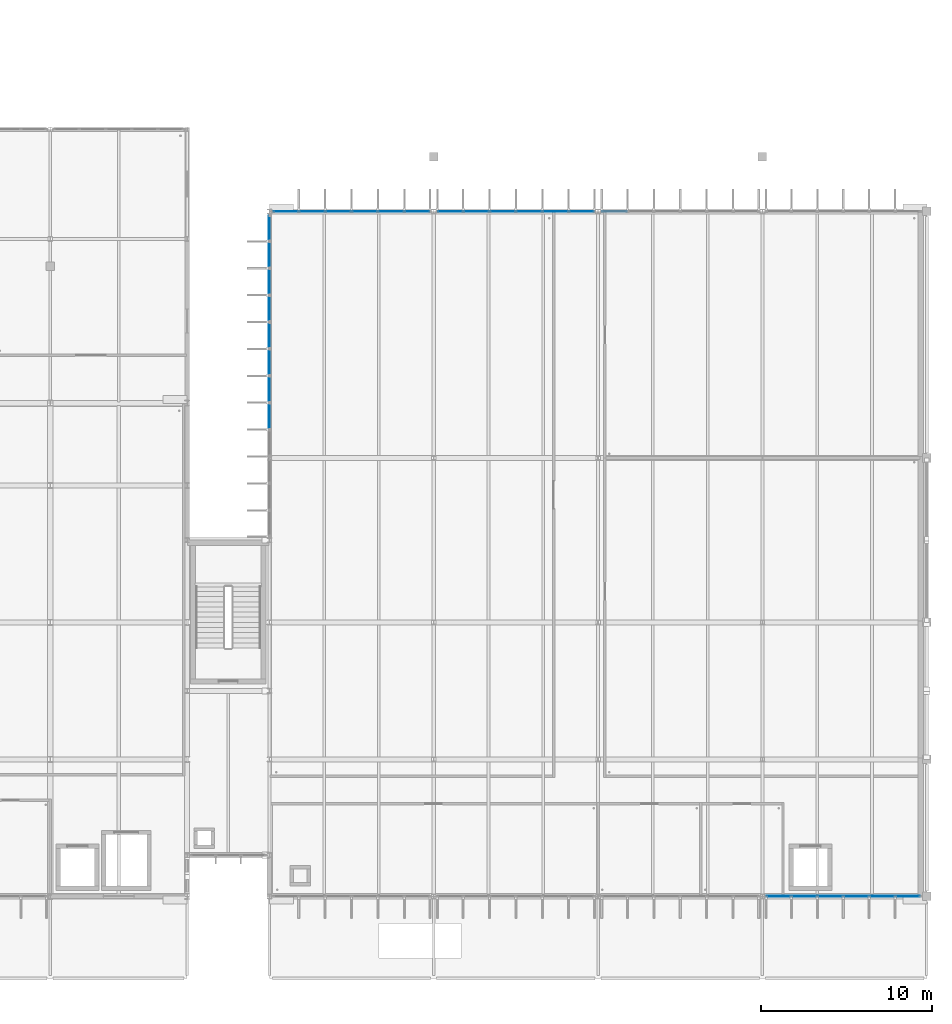
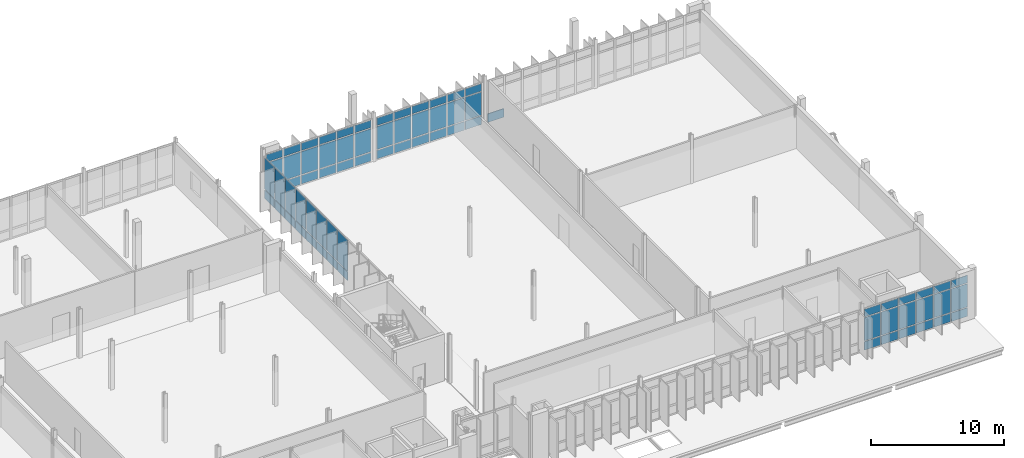
# One storey, part 54 of 107: 71 plates, 5 elements without a shape of their own.
"""IFC4 building model written with IfcOpenShell, lengths in metres."""

from ifc_helpers import new_model, si_unit, direction, frame, origin, origin_2d, place, context, subcontext, project, spatial, rectangle, extrude, material, layer, layer_set, type_object, element, aggregate, save


model = new_model("IFC4")

# Units and contexts
model_context = context("Model", 3, precision=1e-05, world=origin(), true_north=direction((0.0, 1.0)))
body_context = subcontext(model_context, "Body", "Model", "MODEL_VIEW")
ifc_project = project(units=[si_unit("LENGTHUNIT", "METRE"), si_unit("AREAUNIT", "SQUARE_METRE"), si_unit("VOLUMEUNIT", "CUBIC_METRE"), si_unit("PLANEANGLEUNIT", "RADIAN"), si_unit("MASSUNIT", "GRAM", prefix="KILO")], contexts=[model_context])

# Site, building, storey
site_placement = place(None, origin())
site = spatial("IfcSite", under=ifc_project, at=site_placement, CompositionType="ELEMENT")
building_placement = place(site_placement, origin())
building = spatial("IfcBuilding", under=site, at=building_placement, Name="Dunescarp Central Library", CompositionType="ELEMENT")
storey_placement = place(building_placement, frame((0.0, 0.0, 5.10009765625)))
storey = spatial("IfcBuildingStorey", under=building, at=storey_placement, Name="L01", CompositionType="ELEMENT", Elevation=5.10009765625)

# Curtain wall, plates
ifc_material_1 = material(Name="Marine-grade anodised aluminium 6063-T6", Category="aluminium")
curtain_wall_type = type_object("IfcCurtainWallType", Name="ARC-CW-STICK", PredefinedType="NOTDEFINED", material=ifc_material_1)
curtain_wall_1_placement = place(storey_placement, origin())
curtain_wall_1 = element("IfcCurtainWall", 1, at=curtain_wall_1_placement, inside=storey, type_object=curtain_wall_type, Name="L01 curtain wall CW-V5-156", PredefinedType="NOTDEFINED")
ifc_material_2 = material(Name="Solar-control laminated double glazing", Category="glass")
ifc_layer_1 = layer(ifc_material_2, 0.028076171875)
ifc_layer_set_1 = layer_set([ifc_layer_1], Name="Solar-control laminated double glazing")
plate_type_1 = type_object("IfcPlateType", Name="ARC-PLT-GLZ28", PredefinedType="CURTAIN_PANEL", material=ifc_layer_set_1)
plate_1_placement = place(storey_placement, frame((166.887451171875, 4.800048828125, 0.93994140625), z_axis=(0.0, 0.0, 1.0), x_axis=(-1.0, 0.0, 0.0)))
plate_1 = element("IfcPlate", 2, at=plate_1_placement, type_object=plate_type_1, Name="CW-V5-156 panel 1.2", PredefinedType="CURTAIN_PANEL", context=body_context, shape_type="SweptSolid", body=[
    extrude(rectangle(XDim=1.39501953125, YDim=0.028076171875, at=origin_2d()), origin(), (0.0, 0.0, 1.0), 2.1201171875),
])
plate_2_placement = place(storey_placement, frame((166.887451171875, 4.800048828125, 3.139892578125), z_axis=(0.0, 0.0, 1.0), x_axis=(-1.0, 0.0, 0.0)))
plate_2 = element("IfcPlate", 3, at=plate_2_placement, type_object=plate_type_1, Name="CW-V5-156 panel 1.3", PredefinedType="CURTAIN_PANEL", context=body_context, shape_type="SweptSolid", body=[
    extrude(rectangle(XDim=1.39501953125, YDim=0.028076171875, at=origin_2d()), origin(), (0.0, 0.0, 1.0), 0.68994140625),
])
plate_3_placement = place(storey_placement, frame((165.392578125, 4.800048828125, 0.93994140625), z_axis=(0.0, 0.0, 1.0), x_axis=(-1.0, 0.0, 0.0)))
plate_3 = element("IfcPlate", 4, at=plate_3_placement, type_object=plate_type_1, Name="CW-V5-156 panel 2.2", PredefinedType="CURTAIN_PANEL", context=body_context, shape_type="SweptSolid", body=[
    extrude(rectangle(XDim=1.43505859375, YDim=0.028076171875, at=origin_2d()), origin(), (0.0, 0.0, 1.0), 2.1201171875),
])
plate_4_placement = place(storey_placement, frame((165.392578125, 4.800048828125, 3.139892578125), z_axis=(0.0, 0.0, 1.0), x_axis=(-1.0, 0.0, 0.0)))
plate_4 = element("IfcPlate", 5, at=plate_4_placement, type_object=plate_type_1, Name="CW-V5-156 panel 2.3", PredefinedType="CURTAIN_PANEL", context=body_context, shape_type="SweptSolid", body=[
    extrude(rectangle(XDim=1.43505859375, YDim=0.028076171875, at=origin_2d()), origin(), (0.0, 0.0, 1.0), 0.68994140625),
])
plate_5_placement = place(storey_placement, frame((163.87744140625, 4.800048828125, 0.93994140625), z_axis=(0.0, 0.0, 1.0), x_axis=(-1.0, 0.0, 0.0)))
plate_5 = element("IfcPlate", 6, at=plate_5_placement, type_object=plate_type_1, Name="CW-V5-156 panel 3.2", PredefinedType="CURTAIN_PANEL", context=body_context, shape_type="SweptSolid", body=[
    extrude(rectangle(XDim=1.43505859375, YDim=0.028076171875, at=origin_2d()), origin(), (0.0, 0.0, 1.0), 2.1201171875),
])
plate_6_placement = place(storey_placement, frame((163.87744140625, 4.800048828125, 3.139892578125), z_axis=(0.0, 0.0, 1.0), x_axis=(-1.0, 0.0, 0.0)))
plate_6 = element("IfcPlate", 7, at=plate_6_placement, type_object=plate_type_1, Name="CW-V5-156 panel 3.3", PredefinedType="CURTAIN_PANEL", context=body_context, shape_type="SweptSolid", body=[
    extrude(rectangle(XDim=1.43505859375, YDim=0.028076171875, at=origin_2d()), origin(), (0.0, 0.0, 1.0), 0.68994140625),
])
plate_7_placement = place(storey_placement, frame((162.362548828125, 4.800048828125, 0.93994140625), z_axis=(0.0, 0.0, 1.0), x_axis=(-1.0, 0.0, 0.0)))
plate_7 = element("IfcPlate", 8, at=plate_7_placement, type_object=plate_type_1, Name="CW-V5-156 panel 4.2", PredefinedType="CURTAIN_PANEL", context=body_context, shape_type="SweptSolid", body=[
    extrude(rectangle(XDim=1.43505859375, YDim=0.028076171875, at=origin_2d()), origin(), (0.0, 0.0, 1.0), 2.1201171875),
])
plate_8_placement = place(storey_placement, frame((162.362548828125, 4.800048828125, 3.139892578125), z_axis=(0.0, 0.0, 1.0), x_axis=(-1.0, 0.0, 0.0)))
plate_8 = element("IfcPlate", 9, at=plate_8_placement, type_object=plate_type_1, Name="CW-V5-156 panel 4.3", PredefinedType="CURTAIN_PANEL", context=body_context, shape_type="SweptSolid", body=[
    extrude(rectangle(XDim=1.43505859375, YDim=0.028076171875, at=origin_2d()), origin(), (0.0, 0.0, 1.0), 0.68994140625),
])
plate_9_placement = place(storey_placement, frame((160.847412109375, 4.800048828125, 0.93994140625), z_axis=(0.0, 0.0, 1.0), x_axis=(-1.0, 0.0, 0.0)))
plate_9 = element("IfcPlate", 10, at=plate_9_placement, type_object=plate_type_1, Name="CW-V5-156 panel 5.2", PredefinedType="CURTAIN_PANEL", context=body_context, shape_type="SweptSolid", body=[
    extrude(rectangle(XDim=1.43505859375, YDim=0.028076171875, at=origin_2d()), origin(), (0.0, 0.0, 1.0), 2.1201171875),
])
plate_10_placement = place(storey_placement, frame((160.847412109375, 4.800048828125, 3.139892578125), z_axis=(0.0, 0.0, 1.0), x_axis=(-1.0, 0.0, 0.0)))
plate_10 = element("IfcPlate", 11, at=plate_10_placement, type_object=plate_type_1, Name="CW-V5-156 panel 5.3", PredefinedType="CURTAIN_PANEL", context=body_context, shape_type="SweptSolid", body=[
    extrude(rectangle(XDim=1.43505859375, YDim=0.028076171875, at=origin_2d()), origin(), (0.0, 0.0, 1.0), 0.68994140625),
])
plate_11_placement = place(storey_placement, frame((159.3525390625, 4.800048828125, 0.93994140625), z_axis=(0.0, 0.0, 1.0), x_axis=(-1.0, 0.0, 0.0)))
plate_11 = element("IfcPlate", 12, at=plate_11_placement, type_object=plate_type_1, Name="CW-V5-156 panel 6.2", PredefinedType="CURTAIN_PANEL", context=body_context, shape_type="SweptSolid", body=[
    extrude(rectangle(XDim=1.39501953125, YDim=0.028076171875, at=origin_2d()), origin(), (0.0, 0.0, 1.0), 2.1201171875),
])
plate_12_placement = place(storey_placement, frame((159.3525390625, 4.800048828125, 3.139892578125), z_axis=(0.0, 0.0, 1.0), x_axis=(-1.0, 0.0, 0.0)))
plate_12 = element("IfcPlate", 13, at=plate_12_placement, type_object=plate_type_1, Name="CW-V5-156 panel 6.3", PredefinedType="CURTAIN_PANEL", context=body_context, shape_type="SweptSolid", body=[
    extrude(rectangle(XDim=1.39501953125, YDim=0.028076171875, at=origin_2d()), origin(), (0.0, 0.0, 1.0), 0.68994140625),
])

curtain_wall_2_placement = place(storey_placement, origin())
curtain_wall_2 = element("IfcCurtainWall", 14, at=curtain_wall_2_placement, inside=storey, type_object=curtain_wall_type, Name="L01 curtain wall CW-V5-157", PredefinedType="NOTDEFINED")
plate_13_placement = place(storey_placement, frame((130.56591796875, 44.800048828125, 0.93994140625), z_axis=(0.0, 0.0, 1.0), x_axis=(1.0, 0.0, 0.0)))
plate_13 = element("IfcPlate", 15, at=plate_13_placement, type_object=plate_type_1, Name="CW-V5-157 panel 1.2", PredefinedType="CURTAIN_PANEL", context=body_context, shape_type="SweptSolid", body=[
    extrude(rectangle(XDim=1.421630859375, YDim=0.028076171875, at=origin_2d()), origin(), (0.0, 0.0, 1.0), 2.1201171875),
])
plate_14_placement = place(storey_placement, frame((130.56591796875, 44.800048828125, 3.139892578125), z_axis=(0.0, 0.0, 1.0), x_axis=(1.0, 0.0, 0.0)))
plate_14 = element("IfcPlate", 16, at=plate_14_placement, type_object=plate_type_1, Name="CW-V5-157 panel 1.3", PredefinedType="CURTAIN_PANEL", context=body_context, shape_type="SweptSolid", body=[
    extrude(rectangle(XDim=1.421630859375, YDim=0.028076171875, at=origin_2d()), origin(), (0.0, 0.0, 1.0), 0.68994140625),
])
plate_15_placement = place(storey_placement, frame((132.08740234375, 44.800048828125, 0.93994140625), z_axis=(0.0, 0.0, 1.0), x_axis=(1.0, 0.0, 0.0)))
plate_15 = element("IfcPlate", 17, at=plate_15_placement, type_object=plate_type_1, Name="CW-V5-157 panel 2.2", PredefinedType="CURTAIN_PANEL", context=body_context, shape_type="SweptSolid", body=[
    extrude(rectangle(XDim=1.461669921875, YDim=0.028076171875, at=origin_2d()), origin(), (0.0, 0.0, 1.0), 2.1201171875),
])
plate_16_placement = place(storey_placement, frame((132.08740234375, 44.800048828125, 3.139892578125), z_axis=(0.0, 0.0, 1.0), x_axis=(1.0, 0.0, 0.0)))
plate_16 = element("IfcPlate", 18, at=plate_16_placement, type_object=plate_type_1, Name="CW-V5-157 panel 2.3", PredefinedType="CURTAIN_PANEL", context=body_context, shape_type="SweptSolid", body=[
    extrude(rectangle(XDim=1.461669921875, YDim=0.028076171875, at=origin_2d()), origin(), (0.0, 0.0, 1.0), 0.68994140625),
])
plate_17_placement = place(storey_placement, frame((133.629150390625, 44.800048828125, 0.93994140625), z_axis=(0.0, 0.0, 1.0), x_axis=(1.0, 0.0, 0.0)))
plate_17 = element("IfcPlate", 19, at=plate_17_placement, type_object=plate_type_1, Name="CW-V5-157 panel 3.2", PredefinedType="CURTAIN_PANEL", context=body_context, shape_type="SweptSolid", body=[
    extrude(rectangle(XDim=1.461669921875, YDim=0.028076171875, at=origin_2d()), origin(), (0.0, 0.0, 1.0), 2.1201171875),
])
plate_18_placement = place(storey_placement, frame((133.629150390625, 44.800048828125, 3.139892578125), z_axis=(0.0, 0.0, 1.0), x_axis=(1.0, 0.0, 0.0)))
plate_18 = element("IfcPlate", 20, at=plate_18_placement, type_object=plate_type_1, Name="CW-V5-157 panel 3.3", PredefinedType="CURTAIN_PANEL", context=body_context, shape_type="SweptSolid", body=[
    extrude(rectangle(XDim=1.461669921875, YDim=0.028076171875, at=origin_2d()), origin(), (0.0, 0.0, 1.0), 0.68994140625),
])
plate_19_placement = place(storey_placement, frame((135.1708984375, 44.800048828125, 0.93994140625), z_axis=(0.0, 0.0, 1.0), x_axis=(1.0, 0.0, 0.0)))
plate_19 = element("IfcPlate", 21, at=plate_19_placement, type_object=plate_type_1, Name="CW-V5-157 panel 4.2", PredefinedType="CURTAIN_PANEL", context=body_context, shape_type="SweptSolid", body=[
    extrude(rectangle(XDim=1.461669921875, YDim=0.028076171875, at=origin_2d()), origin(), (0.0, 0.0, 1.0), 2.1201171875),
])
plate_20_placement = place(storey_placement, frame((135.1708984375, 44.800048828125, 3.139892578125), z_axis=(0.0, 0.0, 1.0), x_axis=(1.0, 0.0, 0.0)))
plate_20 = element("IfcPlate", 22, at=plate_20_placement, type_object=plate_type_1, Name="CW-V5-157 panel 4.3", PredefinedType="CURTAIN_PANEL", context=body_context, shape_type="SweptSolid", body=[
    extrude(rectangle(XDim=1.461669921875, YDim=0.028076171875, at=origin_2d()), origin(), (0.0, 0.0, 1.0), 0.68994140625),
])
plate_21_placement = place(storey_placement, frame((136.71240234375, 44.800048828125, 0.93994140625), z_axis=(0.0, 0.0, 1.0), x_axis=(1.0, 0.0, 0.0)))
plate_21 = element("IfcPlate", 23, at=plate_21_placement, type_object=plate_type_1, Name="CW-V5-157 panel 5.2", PredefinedType="CURTAIN_PANEL", context=body_context, shape_type="SweptSolid", body=[
    extrude(rectangle(XDim=1.461669921875, YDim=0.028076171875, at=origin_2d()), origin(), (0.0, 0.0, 1.0), 2.1201171875),
])
plate_22_placement = place(storey_placement, frame((136.71240234375, 44.800048828125, 3.139892578125), z_axis=(0.0, 0.0, 1.0), x_axis=(1.0, 0.0, 0.0)))
plate_22 = element("IfcPlate", 24, at=plate_22_placement, type_object=plate_type_1, Name="CW-V5-157 panel 5.3", PredefinedType="CURTAIN_PANEL", context=body_context, shape_type="SweptSolid", body=[
    extrude(rectangle(XDim=1.461669921875, YDim=0.028076171875, at=origin_2d()), origin(), (0.0, 0.0, 1.0), 0.68994140625),
])
plate_23_placement = place(storey_placement, frame((138.234130859375, 44.800048828125, 0.93994140625), z_axis=(0.0, 0.0, 1.0), x_axis=(1.0, 0.0, 0.0)))
plate_23 = element("IfcPlate", 25, at=plate_23_placement, type_object=plate_type_1, Name="CW-V5-157 panel 6.2", PredefinedType="CURTAIN_PANEL", context=body_context, shape_type="SweptSolid", body=[
    extrude(rectangle(XDim=1.421630859375, YDim=0.028076171875, at=origin_2d()), origin(), (0.0, 0.0, 1.0), 2.1201171875),
])
plate_24_placement = place(storey_placement, frame((138.234130859375, 44.800048828125, 3.139892578125), z_axis=(0.0, 0.0, 1.0), x_axis=(1.0, 0.0, 0.0)))
plate_24 = element("IfcPlate", 26, at=plate_24_placement, type_object=plate_type_1, Name="CW-V5-157 panel 6.3", PredefinedType="CURTAIN_PANEL", context=body_context, shape_type="SweptSolid", body=[
    extrude(rectangle(XDim=1.421630859375, YDim=0.028076171875, at=origin_2d()), origin(), (0.0, 0.0, 1.0), 0.68994140625),
])

curtain_wall_3_placement = place(storey_placement, origin())
curtain_wall_3 = element("IfcCurtainWall", 27, at=curtain_wall_3_placement, inside=storey, type_object=curtain_wall_type, Name="L01 curtain wall CW-V5-158", PredefinedType="NOTDEFINED")
plate_25_placement = place(storey_placement, frame((140.165771484375, 44.800048828125, 0.93994140625), z_axis=(0.0, 0.0, 1.0), x_axis=(1.0, 0.0, 0.0)))
plate_25 = element("IfcPlate", 28, at=plate_25_placement, type_object=plate_type_1, Name="CW-V5-158 panel 1.2", PredefinedType="CURTAIN_PANEL", context=body_context, shape_type="SweptSolid", body=[
    extrude(rectangle(XDim=1.421630859375, YDim=0.028076171875, at=origin_2d()), origin(), (0.0, 0.0, 1.0), 2.1201171875),
])
plate_26_placement = place(storey_placement, frame((140.165771484375, 44.800048828125, 3.139892578125), z_axis=(0.0, 0.0, 1.0), x_axis=(1.0, 0.0, 0.0)))
plate_26 = element("IfcPlate", 29, at=plate_26_placement, type_object=plate_type_1, Name="CW-V5-158 panel 1.3", PredefinedType="CURTAIN_PANEL", context=body_context, shape_type="SweptSolid", body=[
    extrude(rectangle(XDim=1.421630859375, YDim=0.028076171875, at=origin_2d()), origin(), (0.0, 0.0, 1.0), 0.68994140625),
])
plate_27_placement = place(storey_placement, frame((141.6875, 44.800048828125, 0.93994140625), z_axis=(0.0, 0.0, 1.0), x_axis=(1.0, 0.0, 0.0)))
plate_27 = element("IfcPlate", 30, at=plate_27_placement, type_object=plate_type_1, Name="CW-V5-158 panel 2.2", PredefinedType="CURTAIN_PANEL", context=body_context, shape_type="SweptSolid", body=[
    extrude(rectangle(XDim=1.461669921875, YDim=0.028076171875, at=origin_2d()), origin(), (0.0, 0.0, 1.0), 2.1201171875),
])
plate_28_placement = place(storey_placement, frame((141.6875, 44.800048828125, 3.139892578125), z_axis=(0.0, 0.0, 1.0), x_axis=(1.0, 0.0, 0.0)))
plate_28 = element("IfcPlate", 31, at=plate_28_placement, type_object=plate_type_1, Name="CW-V5-158 panel 2.3", PredefinedType="CURTAIN_PANEL", context=body_context, shape_type="SweptSolid", body=[
    extrude(rectangle(XDim=1.461669921875, YDim=0.028076171875, at=origin_2d()), origin(), (0.0, 0.0, 1.0), 0.68994140625),
])
plate_29_placement = place(storey_placement, frame((143.229248046875, 44.800048828125, 0.93994140625), z_axis=(0.0, 0.0, 1.0), x_axis=(1.0, 0.0, 0.0)))
plate_29 = element("IfcPlate", 32, at=plate_29_placement, type_object=plate_type_1, Name="CW-V5-158 panel 3.2", PredefinedType="CURTAIN_PANEL", context=body_context, shape_type="SweptSolid", body=[
    extrude(rectangle(XDim=1.461669921875, YDim=0.028076171875, at=origin_2d()), origin(), (0.0, 0.0, 1.0), 2.1201171875),
])
plate_30_placement = place(storey_placement, frame((143.229248046875, 44.800048828125, 3.139892578125), z_axis=(0.0, 0.0, 1.0), x_axis=(1.0, 0.0, 0.0)))
plate_30 = element("IfcPlate", 33, at=plate_30_placement, type_object=plate_type_1, Name="CW-V5-158 panel 3.3", PredefinedType="CURTAIN_PANEL", context=body_context, shape_type="SweptSolid", body=[
    extrude(rectangle(XDim=1.461669921875, YDim=0.028076171875, at=origin_2d()), origin(), (0.0, 0.0, 1.0), 0.68994140625),
])
plate_31_placement = place(storey_placement, frame((144.770751953125, 44.800048828125, 0.93994140625), z_axis=(0.0, 0.0, 1.0), x_axis=(1.0, 0.0, 0.0)))
plate_31 = element("IfcPlate", 34, at=plate_31_placement, type_object=plate_type_1, Name="CW-V5-158 panel 4.2", PredefinedType="CURTAIN_PANEL", context=body_context, shape_type="SweptSolid", body=[
    extrude(rectangle(XDim=1.461669921875, YDim=0.028076171875, at=origin_2d()), origin(), (0.0, 0.0, 1.0), 2.1201171875),
])
plate_32_placement = place(storey_placement, frame((144.770751953125, 44.800048828125, 3.139892578125), z_axis=(0.0, 0.0, 1.0), x_axis=(1.0, 0.0, 0.0)))
plate_32 = element("IfcPlate", 35, at=plate_32_placement, type_object=plate_type_1, Name="CW-V5-158 panel 4.3", PredefinedType="CURTAIN_PANEL", context=body_context, shape_type="SweptSolid", body=[
    extrude(rectangle(XDim=1.461669921875, YDim=0.028076171875, at=origin_2d()), origin(), (0.0, 0.0, 1.0), 0.68994140625),
])
plate_33_placement = place(storey_placement, frame((146.3125, 44.800048828125, 0.93994140625), z_axis=(0.0, 0.0, 1.0), x_axis=(1.0, 0.0, 0.0)))
plate_33 = element("IfcPlate", 36, at=plate_33_placement, type_object=plate_type_1, Name="CW-V5-158 panel 5.2", PredefinedType="CURTAIN_PANEL", context=body_context, shape_type="SweptSolid", body=[
    extrude(rectangle(XDim=1.461669921875, YDim=0.028076171875, at=origin_2d()), origin(), (0.0, 0.0, 1.0), 2.1201171875),
])
plate_34_placement = place(storey_placement, frame((146.3125, 44.800048828125, 3.139892578125), z_axis=(0.0, 0.0, 1.0), x_axis=(1.0, 0.0, 0.0)))
plate_34 = element("IfcPlate", 37, at=plate_34_placement, type_object=plate_type_1, Name="CW-V5-158 panel 5.3", PredefinedType="CURTAIN_PANEL", context=body_context, shape_type="SweptSolid", body=[
    extrude(rectangle(XDim=1.461669921875, YDim=0.028076171875, at=origin_2d()), origin(), (0.0, 0.0, 1.0), 0.68994140625),
])
plate_35_placement = place(storey_placement, frame((147.834228515625, 44.800048828125, 0.93994140625), z_axis=(0.0, 0.0, 1.0), x_axis=(1.0, 0.0, 0.0)))
plate_35 = element("IfcPlate", 38, at=plate_35_placement, type_object=plate_type_1, Name="CW-V5-158 panel 6.2", PredefinedType="CURTAIN_PANEL", context=body_context, shape_type="SweptSolid", body=[
    extrude(rectangle(XDim=1.421630859375, YDim=0.028076171875, at=origin_2d()), origin(), (0.0, 0.0, 1.0), 2.1201171875),
])
plate_36_placement = place(storey_placement, frame((147.834228515625, 44.800048828125, 3.139892578125), z_axis=(0.0, 0.0, 1.0), x_axis=(1.0, 0.0, 0.0)))
plate_36 = element("IfcPlate", 39, at=plate_36_placement, type_object=plate_type_1, Name="CW-V5-158 panel 6.3", PredefinedType="CURTAIN_PANEL", context=body_context, shape_type="SweptSolid", body=[
    extrude(rectangle(XDim=1.421630859375, YDim=0.028076171875, at=origin_2d()), origin(), (0.0, 0.0, 1.0), 0.68994140625),
])

curtain_wall_4_placement = place(storey_placement, origin())
curtain_wall_4 = element("IfcCurtainWall", 40, at=curtain_wall_4_placement, inside=storey, type_object=curtain_wall_type, Name="L01 curtain wall CW-V5-161", PredefinedType="NOTDEFINED")
plate_37_placement = place(storey_placement, frame((129.60009765625, 32.84375, 0.93994140625), z_axis=(0.0, 0.0, 1.0), x_axis=(0.0, 1.0, 0.0)))
plate_37 = element("IfcPlate", 41, at=plate_37_placement, type_object=plate_type_1, Name="CW-V5-161 panel 5.2", PredefinedType="CURTAIN_PANEL", context=body_context, shape_type="SweptSolid", body=[
    extrude(rectangle(XDim=1.49072265625, YDim=0.028076171875, at=origin_2d()), origin(), (0.0, 0.0, 1.0), 2.85498046875),
])
plate_38_placement = place(storey_placement, frame((129.60009765625, 34.41455078125, 0.93994140625), z_axis=(0.0, 0.0, 1.0), x_axis=(0.0, 1.0, 0.0)))
plate_38 = element("IfcPlate", 42, at=plate_38_placement, type_object=plate_type_1, Name="CW-V5-161 panel 6.2", PredefinedType="CURTAIN_PANEL", context=body_context, shape_type="SweptSolid", body=[
    extrude(rectangle(XDim=1.49072265625, YDim=0.028076171875, at=origin_2d()), origin(), (0.0, 0.0, 1.0), 2.85498046875),
])
plate_39_placement = place(storey_placement, frame((129.60009765625, 35.9853515625, 0.93994140625), z_axis=(0.0, 0.0, 1.0), x_axis=(0.0, 1.0, 0.0)))
plate_39 = element("IfcPlate", 43, at=plate_39_placement, type_object=plate_type_1, Name="CW-V5-161 panel 7.2", PredefinedType="CURTAIN_PANEL", context=body_context, shape_type="SweptSolid", body=[
    extrude(rectangle(XDim=1.49072265625, YDim=0.028076171875, at=origin_2d()), origin(), (0.0, 0.0, 1.0), 2.85498046875),
])
plate_40_placement = place(storey_placement, frame((129.60009765625, 37.55615234375, 0.93994140625), z_axis=(0.0, 0.0, 1.0), x_axis=(0.0, 1.0, 0.0)))
plate_40 = element("IfcPlate", 44, at=plate_40_placement, type_object=plate_type_1, Name="CW-V5-161 panel 8.2", PredefinedType="CURTAIN_PANEL", context=body_context, shape_type="SweptSolid", body=[
    extrude(rectangle(XDim=1.49072265625, YDim=0.028076171875, at=origin_2d()), origin(), (0.0, 0.0, 1.0), 2.85498046875),
])
plate_41_placement = place(storey_placement, frame((129.60009765625, 39.127197265625, 0.93994140625), z_axis=(0.0, 0.0, 1.0), x_axis=(0.0, 1.0, 0.0)))
plate_41 = element("IfcPlate", 45, at=plate_41_placement, type_object=plate_type_1, Name="CW-V5-161 panel 9.2", PredefinedType="CURTAIN_PANEL", context=body_context, shape_type="SweptSolid", body=[
    extrude(rectangle(XDim=1.49072265625, YDim=0.028076171875, at=origin_2d()), origin(), (0.0, 0.0, 1.0), 2.85498046875),
])
plate_42_placement = place(storey_placement, frame((129.60009765625, 40.697998046875, 0.93994140625), z_axis=(0.0, 0.0, 1.0), x_axis=(0.0, 1.0, 0.0)))
plate_42 = element("IfcPlate", 46, at=plate_42_placement, type_object=plate_type_1, Name="CW-V5-161 panel 10.2", PredefinedType="CURTAIN_PANEL", context=body_context, shape_type="SweptSolid", body=[
    extrude(rectangle(XDim=1.49072265625, YDim=0.028076171875, at=origin_2d()), origin(), (0.0, 0.0, 1.0), 2.85498046875),
])
plate_43_placement = place(storey_placement, frame((129.60009765625, 42.268798828125, 0.93994140625), z_axis=(0.0, 0.0, 1.0), x_axis=(0.0, 1.0, 0.0)))
plate_43 = element("IfcPlate", 47, at=plate_43_placement, type_object=plate_type_1, Name="CW-V5-161 panel 11.2", PredefinedType="CURTAIN_PANEL", context=body_context, shape_type="SweptSolid", body=[
    extrude(rectangle(XDim=1.49072265625, YDim=0.028076171875, at=origin_2d()), origin(), (0.0, 0.0, 1.0), 2.85498046875),
])
plate_44_placement = place(storey_placement, frame((129.60009765625, 43.819580078125, 0.93994140625), z_axis=(0.0, 0.0, 1.0), x_axis=(0.0, 1.0, 0.0)))
plate_44 = element("IfcPlate", 48, at=plate_44_placement, type_object=plate_type_1, Name="CW-V5-161 panel 12.2", PredefinedType="CURTAIN_PANEL", context=body_context, shape_type="SweptSolid", body=[
    extrude(rectangle(XDim=1.450927734375, YDim=0.028076171875, at=origin_2d()), origin(), (0.0, 0.0, 1.0), 2.85498046875),
])

# Plate
ifc_layer_2 = layer(ifc_material_1, 0.050048828125)
ifc_layer_set_2 = layer_set([ifc_layer_2], Name="Marine-grade anodised aluminium 6063-T6")
plate_type_2 = type_object("IfcPlateType", Name="ARC-PLT-SPN50", PredefinedType="SHEET", material=ifc_layer_set_2)
plate_45_placement = place(storey_placement, frame((166.887451171875, 4.800048828125, 0.080078125), z_axis=(0.0, 0.0, 1.0), x_axis=(-1.0, 0.0, 0.0)))
plate_45 = element("IfcPlate", 49, at=plate_45_placement, type_object=plate_type_2, Name="CW-V5-156 panel 1.1", PredefinedType="SHEET", context=body_context, shape_type="SweptSolid", body=[
    extrude(rectangle(XDim=1.39501953125, YDim=0.050048828125, at=origin_2d()), origin(), (0.0, 0.0, 1.0), 0.780029296875),
])

plate_46_placement = place(storey_placement, frame((165.392578125, 4.800048828125, 0.080078125), z_axis=(0.0, 0.0, 1.0), x_axis=(-1.0, 0.0, 0.0)))
plate_46 = element("IfcPlate", 50, at=plate_46_placement, type_object=plate_type_2, Name="CW-V5-156 panel 2.1", PredefinedType="SHEET", context=body_context, shape_type="SweptSolid", body=[
    extrude(rectangle(XDim=1.43505859375, YDim=0.050048828125, at=origin_2d()), origin(), (0.0, 0.0, 1.0), 0.780029296875),
])

plate_47_placement = place(storey_placement, frame((163.87744140625, 4.800048828125, 0.080078125), z_axis=(0.0, 0.0, 1.0), x_axis=(-1.0, 0.0, 0.0)))
plate_47 = element("IfcPlate", 51, at=plate_47_placement, type_object=plate_type_2, Name="CW-V5-156 panel 3.1", PredefinedType="SHEET", context=body_context, shape_type="SweptSolid", body=[
    extrude(rectangle(XDim=1.43505859375, YDim=0.050048828125, at=origin_2d()), origin(), (0.0, 0.0, 1.0), 0.780029296875),
])

plate_48_placement = place(storey_placement, frame((162.362548828125, 4.800048828125, 0.080078125), z_axis=(0.0, 0.0, 1.0), x_axis=(-1.0, 0.0, 0.0)))
plate_48 = element("IfcPlate", 52, at=plate_48_placement, type_object=plate_type_2, Name="CW-V5-156 panel 4.1", PredefinedType="SHEET", context=body_context, shape_type="SweptSolid", body=[
    extrude(rectangle(XDim=1.43505859375, YDim=0.050048828125, at=origin_2d()), origin(), (0.0, 0.0, 1.0), 0.780029296875),
])

plate_49_placement = place(storey_placement, frame((160.847412109375, 4.800048828125, 0.080078125), z_axis=(0.0, 0.0, 1.0), x_axis=(-1.0, 0.0, 0.0)))
plate_49 = element("IfcPlate", 53, at=plate_49_placement, type_object=plate_type_2, Name="CW-V5-156 panel 5.1", PredefinedType="SHEET", context=body_context, shape_type="SweptSolid", body=[
    extrude(rectangle(XDim=1.43505859375, YDim=0.050048828125, at=origin_2d()), origin(), (0.0, 0.0, 1.0), 0.780029296875),
])

plate_50_placement = place(storey_placement, frame((159.3525390625, 4.800048828125, 0.080078125), z_axis=(0.0, 0.0, 1.0), x_axis=(-1.0, 0.0, 0.0)))
plate_50 = element("IfcPlate", 54, at=plate_50_placement, type_object=plate_type_2, Name="CW-V5-156 panel 6.1", PredefinedType="SHEET", context=body_context, shape_type="SweptSolid", body=[
    extrude(rectangle(XDim=1.39501953125, YDim=0.050048828125, at=origin_2d()), origin(), (0.0, 0.0, 1.0), 0.780029296875),
])

aggregate(curtain_wall_1, [plate_45, plate_1, plate_2, plate_46, plate_3, plate_4, plate_47, plate_5, plate_6, plate_48, plate_7, plate_8, plate_49, plate_9, plate_10, plate_50, plate_11, plate_12])

plate_51_placement = place(storey_placement, frame((130.56591796875, 44.800048828125, 0.080078125), z_axis=(0.0, 0.0, 1.0), x_axis=(1.0, 0.0, 0.0)))
plate_51 = element("IfcPlate", 55, at=plate_51_placement, type_object=plate_type_2, Name="CW-V5-157 panel 1.1", PredefinedType="SHEET", context=body_context, shape_type="SweptSolid", body=[
    extrude(rectangle(XDim=1.421630859375, YDim=0.050048828125, at=origin_2d()), origin(), (0.0, 0.0, 1.0), 0.780029296875),
])

plate_52_placement = place(storey_placement, frame((132.08740234375, 44.800048828125, 0.080078125), z_axis=(0.0, 0.0, 1.0), x_axis=(1.0, 0.0, 0.0)))
plate_52 = element("IfcPlate", 56, at=plate_52_placement, type_object=plate_type_2, Name="CW-V5-157 panel 2.1", PredefinedType="SHEET", context=body_context, shape_type="SweptSolid", body=[
    extrude(rectangle(XDim=1.461669921875, YDim=0.050048828125, at=origin_2d()), origin(), (0.0, 0.0, 1.0), 0.780029296875),
])

plate_53_placement = place(storey_placement, frame((133.629150390625, 44.800048828125, 0.080078125), z_axis=(0.0, 0.0, 1.0), x_axis=(1.0, 0.0, 0.0)))
plate_53 = element("IfcPlate", 57, at=plate_53_placement, type_object=plate_type_2, Name="CW-V5-157 panel 3.1", PredefinedType="SHEET", context=body_context, shape_type="SweptSolid", body=[
    extrude(rectangle(XDim=1.461669921875, YDim=0.050048828125, at=origin_2d()), origin(), (0.0, 0.0, 1.0), 0.780029296875),
])

plate_54_placement = place(storey_placement, frame((135.1708984375, 44.800048828125, 0.080078125), z_axis=(0.0, 0.0, 1.0), x_axis=(1.0, 0.0, 0.0)))
plate_54 = element("IfcPlate", 58, at=plate_54_placement, type_object=plate_type_2, Name="CW-V5-157 panel 4.1", PredefinedType="SHEET", context=body_context, shape_type="SweptSolid", body=[
    extrude(rectangle(XDim=1.461669921875, YDim=0.050048828125, at=origin_2d()), origin(), (0.0, 0.0, 1.0), 0.780029296875),
])

plate_55_placement = place(storey_placement, frame((136.71240234375, 44.800048828125, 0.080078125), z_axis=(0.0, 0.0, 1.0), x_axis=(1.0, 0.0, 0.0)))
plate_55 = element("IfcPlate", 59, at=plate_55_placement, type_object=plate_type_2, Name="CW-V5-157 panel 5.1", PredefinedType="SHEET", context=body_context, shape_type="SweptSolid", body=[
    extrude(rectangle(XDim=1.461669921875, YDim=0.050048828125, at=origin_2d()), origin(), (0.0, 0.0, 1.0), 0.780029296875),
])

plate_56_placement = place(storey_placement, frame((138.234130859375, 44.800048828125, 0.080078125), z_axis=(0.0, 0.0, 1.0), x_axis=(1.0, 0.0, 0.0)))
plate_56 = element("IfcPlate", 60, at=plate_56_placement, type_object=plate_type_2, Name="CW-V5-157 panel 6.1", PredefinedType="SHEET", context=body_context, shape_type="SweptSolid", body=[
    extrude(rectangle(XDim=1.421630859375, YDim=0.050048828125, at=origin_2d()), origin(), (0.0, 0.0, 1.0), 0.780029296875),
])

aggregate(curtain_wall_2, [plate_51, plate_13, plate_14, plate_52, plate_15, plate_16, plate_53, plate_17, plate_18, plate_54, plate_19, plate_20, plate_55, plate_21, plate_22, plate_56, plate_23, plate_24])

plate_57_placement = place(storey_placement, frame((140.165771484375, 44.800048828125, 0.080078125), z_axis=(0.0, 0.0, 1.0), x_axis=(1.0, 0.0, 0.0)))
plate_57 = element("IfcPlate", 61, at=plate_57_placement, type_object=plate_type_2, Name="CW-V5-158 panel 1.1", PredefinedType="SHEET", context=body_context, shape_type="SweptSolid", body=[
    extrude(rectangle(XDim=1.421630859375, YDim=0.050048828125, at=origin_2d()), origin(), (0.0, 0.0, 1.0), 0.780029296875),
])

plate_58_placement = place(storey_placement, frame((141.6875, 44.800048828125, 0.080078125), z_axis=(0.0, 0.0, 1.0), x_axis=(1.0, 0.0, 0.0)))
plate_58 = element("IfcPlate", 62, at=plate_58_placement, type_object=plate_type_2, Name="CW-V5-158 panel 2.1", PredefinedType="SHEET", context=body_context, shape_type="SweptSolid", body=[
    extrude(rectangle(XDim=1.461669921875, YDim=0.050048828125, at=origin_2d()), origin(), (0.0, 0.0, 1.0), 0.780029296875),
])

plate_59_placement = place(storey_placement, frame((143.229248046875, 44.800048828125, 0.080078125), z_axis=(0.0, 0.0, 1.0), x_axis=(1.0, 0.0, 0.0)))
plate_59 = element("IfcPlate", 63, at=plate_59_placement, type_object=plate_type_2, Name="CW-V5-158 panel 3.1", PredefinedType="SHEET", context=body_context, shape_type="SweptSolid", body=[
    extrude(rectangle(XDim=1.461669921875, YDim=0.050048828125, at=origin_2d()), origin(), (0.0, 0.0, 1.0), 0.780029296875),
])

plate_60_placement = place(storey_placement, frame((144.770751953125, 44.800048828125, 0.080078125), z_axis=(0.0, 0.0, 1.0), x_axis=(1.0, 0.0, 0.0)))
plate_60 = element("IfcPlate", 64, at=plate_60_placement, type_object=plate_type_2, Name="CW-V5-158 panel 4.1", PredefinedType="SHEET", context=body_context, shape_type="SweptSolid", body=[
    extrude(rectangle(XDim=1.461669921875, YDim=0.050048828125, at=origin_2d()), origin(), (0.0, 0.0, 1.0), 0.780029296875),
])

plate_61_placement = place(storey_placement, frame((146.3125, 44.800048828125, 0.080078125), z_axis=(0.0, 0.0, 1.0), x_axis=(1.0, 0.0, 0.0)))
plate_61 = element("IfcPlate", 65, at=plate_61_placement, type_object=plate_type_2, Name="CW-V5-158 panel 5.1", PredefinedType="SHEET", context=body_context, shape_type="SweptSolid", body=[
    extrude(rectangle(XDim=1.461669921875, YDim=0.050048828125, at=origin_2d()), origin(), (0.0, 0.0, 1.0), 0.780029296875),
])

plate_62_placement = place(storey_placement, frame((147.834228515625, 44.800048828125, 0.080078125), z_axis=(0.0, 0.0, 1.0), x_axis=(1.0, 0.0, 0.0)))
plate_62 = element("IfcPlate", 66, at=plate_62_placement, type_object=plate_type_2, Name="CW-V5-158 panel 6.1", PredefinedType="SHEET", context=body_context, shape_type="SweptSolid", body=[
    extrude(rectangle(XDim=1.421630859375, YDim=0.050048828125, at=origin_2d()), origin(), (0.0, 0.0, 1.0), 0.780029296875),
])

aggregate(curtain_wall_3, [plate_57, plate_25, plate_26, plate_58, plate_27, plate_28, plate_59, plate_29, plate_30, plate_60, plate_31, plate_32, plate_61, plate_33, plate_34, plate_62, plate_35, plate_36])

# Curtain wall, plate
curtain_wall_5_placement = place(storey_placement, origin())
curtain_wall_5 = element("IfcCurtainWall", 67, at=curtain_wall_5_placement, inside=storey, type_object=curtain_wall_type, Name="L01 curtain wall CW-V5-159", PredefinedType="NOTDEFINED")
plate_63_placement = place(storey_placement, frame((149.765869140625, 44.800048828125, 0.080078125), z_axis=(0.0, 0.0, 1.0), x_axis=(1.0, 0.0, 0.0)))
plate_63 = element("IfcPlate", 68, at=plate_63_placement, type_object=plate_type_2, Name="CW-V5-159 panel 1.1", PredefinedType="SHEET", context=body_context, shape_type="SweptSolid", body=[
    extrude(rectangle(XDim=1.421630859375, YDim=0.050048828125, at=origin_2d()), origin(), (0.0, 0.0, 1.0), 0.780029296875),
])
aggregate(curtain_wall_5, [plate_63])

# Plate
plate_64_placement = place(storey_placement, frame((129.60009765625, 32.84375, 0.080078125), z_axis=(0.0, 0.0, 1.0), x_axis=(0.0, 1.0, 0.0)))
plate_64 = element("IfcPlate", 69, at=plate_64_placement, type_object=plate_type_2, Name="CW-V5-161 panel 5.1", PredefinedType="SHEET", context=body_context, shape_type="SweptSolid", body=[
    extrude(rectangle(XDim=1.49072265625, YDim=0.050048828125, at=origin_2d()), origin(), (0.0, 0.0, 1.0), 0.780029296875),
])

plate_65_placement = place(storey_placement, frame((129.60009765625, 34.41455078125, 0.080078125), z_axis=(0.0, 0.0, 1.0), x_axis=(0.0, 1.0, 0.0)))
plate_65 = element("IfcPlate", 70, at=plate_65_placement, type_object=plate_type_2, Name="CW-V5-161 panel 6.1", PredefinedType="SHEET", context=body_context, shape_type="SweptSolid", body=[
    extrude(rectangle(XDim=1.49072265625, YDim=0.050048828125, at=origin_2d()), origin(), (0.0, 0.0, 1.0), 0.780029296875),
])

plate_66_placement = place(storey_placement, frame((129.60009765625, 35.9853515625, 0.080078125), z_axis=(0.0, 0.0, 1.0), x_axis=(0.0, 1.0, 0.0)))
plate_66 = element("IfcPlate", 71, at=plate_66_placement, type_object=plate_type_2, Name="CW-V5-161 panel 7.1", PredefinedType="SHEET", context=body_context, shape_type="SweptSolid", body=[
    extrude(rectangle(XDim=1.49072265625, YDim=0.050048828125, at=origin_2d()), origin(), (0.0, 0.0, 1.0), 0.780029296875),
])

plate_67_placement = place(storey_placement, frame((129.60009765625, 37.55615234375, 0.080078125), z_axis=(0.0, 0.0, 1.0), x_axis=(0.0, 1.0, 0.0)))
plate_67 = element("IfcPlate", 72, at=plate_67_placement, type_object=plate_type_2, Name="CW-V5-161 panel 8.1", PredefinedType="SHEET", context=body_context, shape_type="SweptSolid", body=[
    extrude(rectangle(XDim=1.49072265625, YDim=0.050048828125, at=origin_2d()), origin(), (0.0, 0.0, 1.0), 0.780029296875),
])

plate_68_placement = place(storey_placement, frame((129.60009765625, 39.127197265625, 0.080078125), z_axis=(0.0, 0.0, 1.0), x_axis=(0.0, 1.0, 0.0)))
plate_68 = element("IfcPlate", 73, at=plate_68_placement, type_object=plate_type_2, Name="CW-V5-161 panel 9.1", PredefinedType="SHEET", context=body_context, shape_type="SweptSolid", body=[
    extrude(rectangle(XDim=1.49072265625, YDim=0.050048828125, at=origin_2d()), origin(), (0.0, 0.0, 1.0), 0.780029296875),
])

plate_69_placement = place(storey_placement, frame((129.60009765625, 40.697998046875, 0.080078125), z_axis=(0.0, 0.0, 1.0), x_axis=(0.0, 1.0, 0.0)))
plate_69 = element("IfcPlate", 74, at=plate_69_placement, type_object=plate_type_2, Name="CW-V5-161 panel 10.1", PredefinedType="SHEET", context=body_context, shape_type="SweptSolid", body=[
    extrude(rectangle(XDim=1.49072265625, YDim=0.050048828125, at=origin_2d()), origin(), (0.0, 0.0, 1.0), 0.780029296875),
])

plate_70_placement = place(storey_placement, frame((129.60009765625, 42.268798828125, 0.080078125), z_axis=(0.0, 0.0, 1.0), x_axis=(0.0, 1.0, 0.0)))
plate_70 = element("IfcPlate", 75, at=plate_70_placement, type_object=plate_type_2, Name="CW-V5-161 panel 11.1", PredefinedType="SHEET", context=body_context, shape_type="SweptSolid", body=[
    extrude(rectangle(XDim=1.49072265625, YDim=0.050048828125, at=origin_2d()), origin(), (0.0, 0.0, 1.0), 0.780029296875),
])

plate_71_placement = place(storey_placement, frame((129.60009765625, 43.819580078125, 0.080078125), z_axis=(0.0, 0.0, 1.0), x_axis=(0.0, 1.0, 0.0)))
plate_71 = element("IfcPlate", 76, at=plate_71_placement, type_object=plate_type_2, Name="CW-V5-161 panel 12.1", PredefinedType="SHEET", context=body_context, shape_type="SweptSolid", body=[
    extrude(rectangle(XDim=1.450927734375, YDim=0.050048828125, at=origin_2d()), origin(), (0.0, 0.0, 1.0), 0.780029296875),
])

aggregate(curtain_wall_4, [plate_64, plate_37, plate_65, plate_38, plate_66, plate_39, plate_67, plate_40, plate_68, plate_41, plate_69, plate_42, plate_70, plate_43, plate_71, plate_44])

save(model, "model.ifc")
